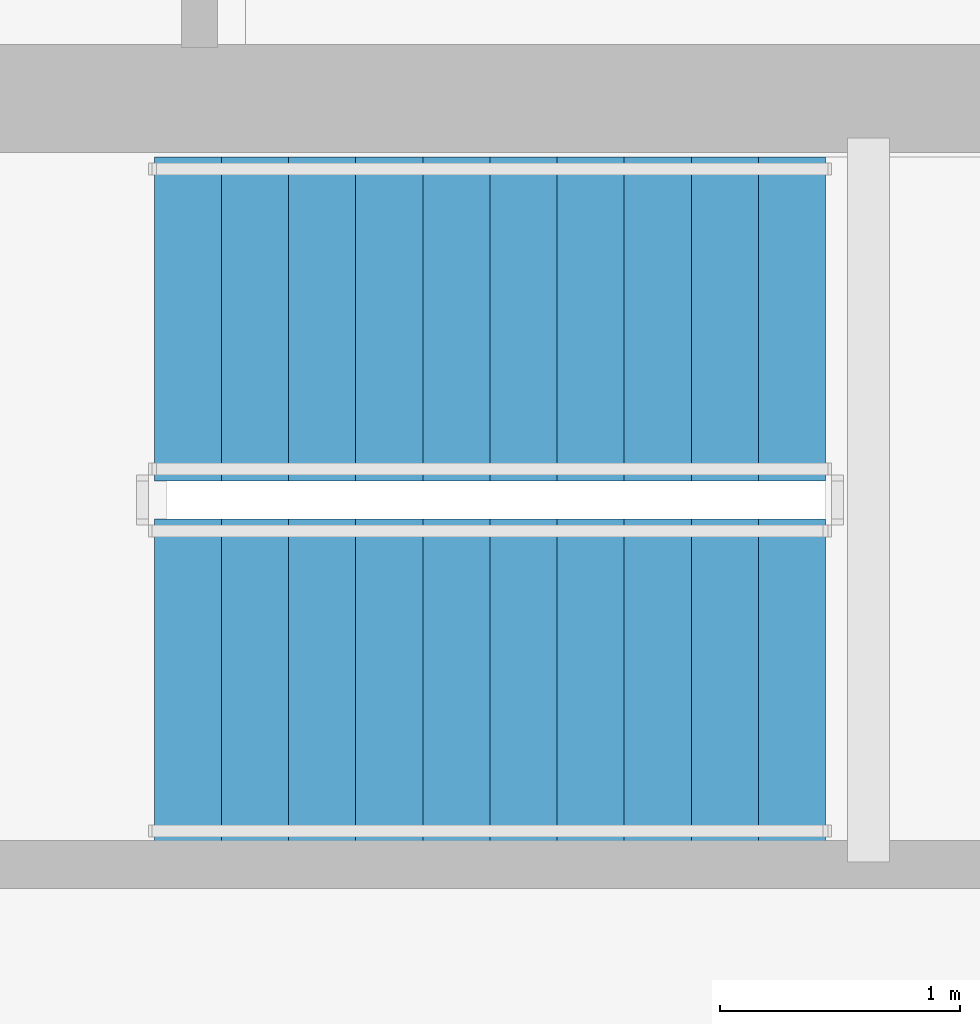
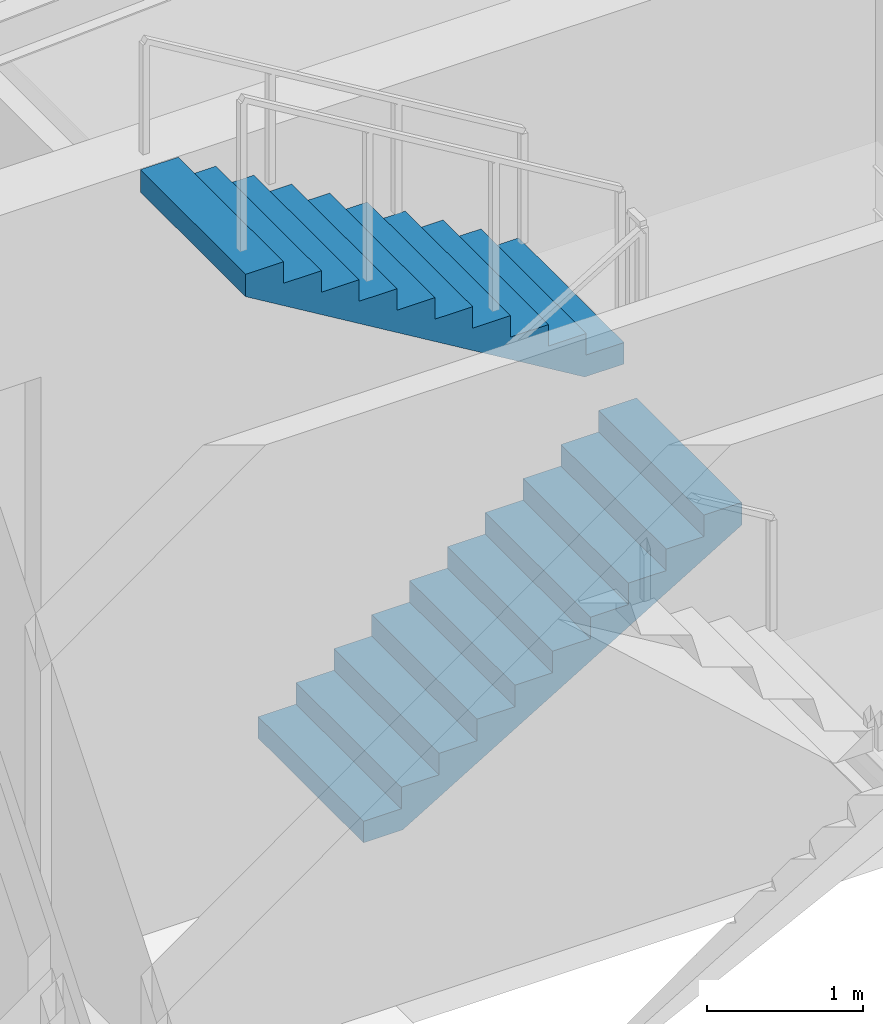
# One storey, part 17 of 21: 2 stair flights, 1 element without a shape of its own.
"""IFC4 building model written with IfcOpenShell, lengths in metres."""

from ifc_helpers import new_model, si_unit, direction, frame, origin, place, context, subcontext, project, spatial, polyline, outline, extrude, material, type_object, element, aggregate, save


model = new_model("IFC4")

# Units and contexts
model_context = context("Model", 3, precision=1e-05, world=origin(), true_north=direction((0.0, 1.0)))
body_context = subcontext(model_context, "Body", "Model", "MODEL_VIEW")
ifc_project = project(units=[si_unit("LENGTHUNIT", "METRE"), si_unit("AREAUNIT", "SQUARE_METRE"), si_unit("VOLUMEUNIT", "CUBIC_METRE"), si_unit("PLANEANGLEUNIT", "RADIAN"), si_unit("MASSUNIT", "GRAM", prefix="KILO")], contexts=[model_context])

# Site, building, storey
site_placement = place(None, origin())
site = spatial("IfcSite", under=ifc_project, at=site_placement, CompositionType="ELEMENT")
building_placement = place(site_placement, origin())
building = spatial("IfcBuilding", under=site, at=building_placement, Name="Qianvela Tower", CompositionType="ELEMENT")
storey_placement = place(building_placement, frame((0.0, 0.0, 253.800048828125)))
storey = spatial("IfcBuildingStorey", under=building, at=storey_placement, Name="L65", CompositionType="ELEMENT", Elevation=253.800048828125)

# Stair, stair flights
ifc_material_1 = material(Name="Concrete C40", Category="concrete")
stair_type = type_object("IfcStairType", Name="ST-DOGLEG-1350-R168-N22", PredefinedType="HALF_TURN_STAIR", material=ifc_material_1)
stair_placement = place(storey_placement, origin())
stair = element("IfcStair", 1, at=stair_placement, inside=storey, type_object=stair_type, Name="L65 Smoke-Proof Core Stair ST-1", PredefinedType="HALF_TURN_STAIR")
ifc_material_2 = material(Name="Concrete C40", Category="concrete")
stair_flight_type = type_object("IfcStairFlightType", Name="STF-STRAIGHT-R168-P11", PredefinedType="STRAIGHT", material=ifc_material_2)
stair_flight_1_placement = place(storey_placement, frame((32.199951171875, 30.215087890625, 0.0), z_axis=(0.0, 0.0, 1.0), x_axis=(1.0, 0.0, 0.0)))
stair_flight_1 = element("IfcStairFlight", 2, at=stair_flight_1_placement, type_object=stair_flight_type, Name="ST-1 flight 1", NumberOfRisers=11, NumberOfTreads=10, PredefinedType="STRAIGHT", RiserHeight=0.168181818, TreadLength=0.28, context=body_context, shape_type="SweptSolid", body=[
    extrude(outline(polyline([(0.0, 0.0), (0.0, 0.168212890625), (0.280029296875, 0.168212890625), (0.280029296875, 0.33642578125), (0.56005859375, 0.33642578125), (0.56005859375, 0.504638671875), (0.840087890625, 0.504638671875), (0.840087890625, 0.672607421875), (1.1201171875, 0.672607421875), (1.1201171875, 0.8408203125), (1.39990234375, 0.8408203125), (1.39990234375, 1.009033203125), (1.679931640625, 1.009033203125), (1.679931640625, 1.17724609375), (1.9599609375, 1.17724609375), (1.9599609375, 1.345458984375), (2.239990234375, 1.345458984375), (2.239990234375, 1.513671875), (2.52001953125, 1.513671875), (2.52001953125, 1.681884765625), (2.800048828125, 1.681884765625), (2.800048828125, 1.85009765625), (2.800048828125, 1.5068359375), (0.291015625, 0.0), (0.0, 0.0)])), frame((0.0, 0.675048828125, 0.0), z_axis=(0.0, -1.0, 0.0), x_axis=(1.0, 0.0, 0.0)), (0.0, 0.0, 1.0), 1.35009765625),
])
stair_flight_2_placement = place(storey_placement, frame((35.0, 31.72509765625, 1.849853515625), z_axis=(0.0, 0.0, 1.0), x_axis=(-1.0, 0.0, 0.0)))
stair_flight_2 = element("IfcStairFlight", 3, at=stair_flight_2_placement, type_object=stair_flight_type, Name="ST-1 flight 2", NumberOfRisers=11, NumberOfTreads=10, PredefinedType="STRAIGHT", RiserHeight=0.168181818, TreadLength=0.28, context=body_context, shape_type="SweptSolid", body=[
    extrude(outline(polyline([(0.0, 0.0), (0.0, 0.168212890625), (0.280029296875, 0.168212890625), (0.280029296875, 0.33642578125), (0.56005859375, 0.33642578125), (0.56005859375, 0.504638671875), (0.840087890625, 0.504638671875), (0.840087890625, 0.672607421875), (1.1201171875, 0.672607421875), (1.1201171875, 0.8408203125), (1.39990234375, 0.8408203125), (1.39990234375, 1.009033203125), (1.679931640625, 1.009033203125), (1.679931640625, 1.17724609375), (1.9599609375, 1.17724609375), (1.9599609375, 1.345458984375), (2.239990234375, 1.345458984375), (2.239990234375, 1.513671875), (2.52001953125, 1.513671875), (2.52001953125, 1.681884765625), (2.800048828125, 1.681884765625), (2.800048828125, 1.85009765625), (2.800048828125, 1.5068359375), (0.291015625, 0.0), (0.0, 0.0)])), frame((0.0, 0.675048828125, 0.0), z_axis=(0.0, -1.0, 0.0), x_axis=(1.0, 0.0, 0.0)), (0.0, 0.0, 1.0), 1.35009765625),
])
aggregate(stair, [stair_flight_1, stair_flight_2])

save(model, "model.ifc")
